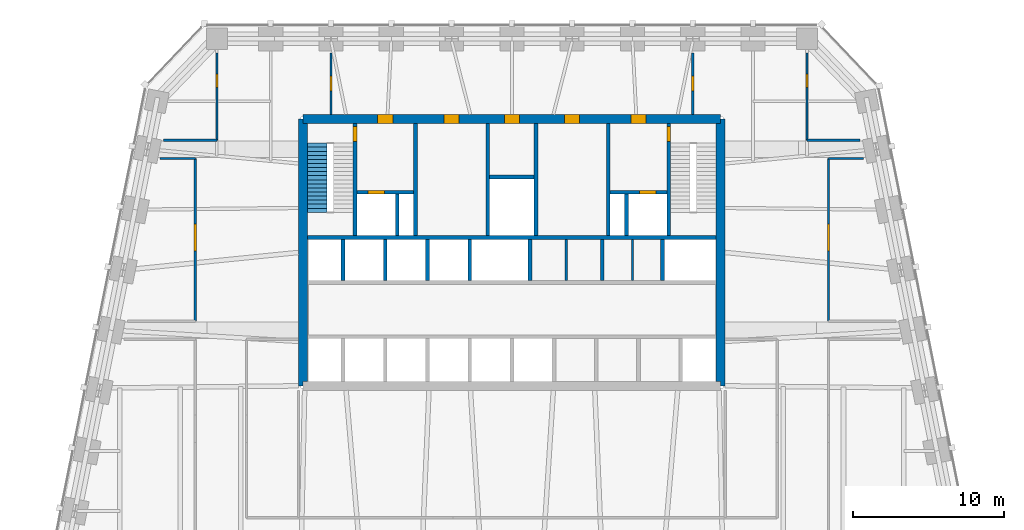
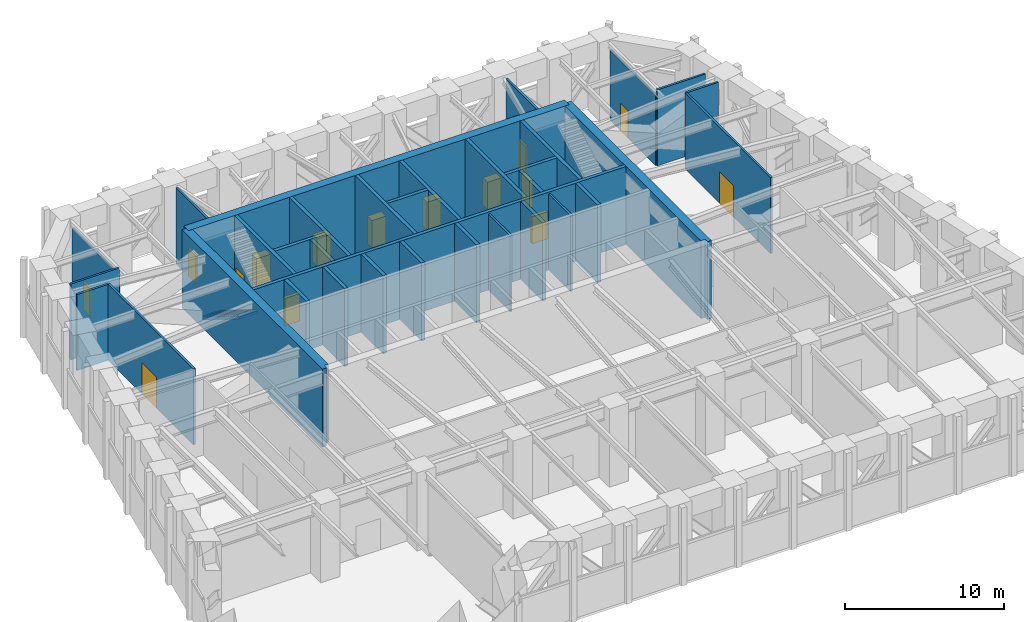
# One storey, part 7 of 9: 34 walls, 15 doors, 1 stair flight, 15 openings, 1 element without a shape of its own.
"""IFC4 building model written with IfcOpenShell, lengths in metres."""

from ifc_helpers import new_model, si_unit, direction, frame, frame_2d, origin, place, context, subcontext, project, spatial, polyline, rectangle, outline, extrude, material, layer, layer_set, type_object, element, fill, aggregate, save


model = new_model("IFC4")

# Units and contexts
model_context = context("Model", 3, precision=1e-05, world=origin(), true_north=direction((0.0, 1.0)))
body_context = subcontext(model_context, "Body", "Model", "MODEL_VIEW")
ifc_project = project(units=[si_unit("LENGTHUNIT", "METRE"), si_unit("AREAUNIT", "SQUARE_METRE"), si_unit("VOLUMEUNIT", "CUBIC_METRE"), si_unit("PLANEANGLEUNIT", "RADIAN"), si_unit("MASSUNIT", "GRAM", prefix="KILO")], contexts=[model_context])

# Site, building, storey
site_placement = place(None, origin())
site = spatial("IfcSite", under=ifc_project, at=site_placement, CompositionType="ELEMENT")
building_placement = place(site_placement, origin())
building = spatial("IfcBuilding", under=site, at=building_placement, Name="Isbrekke Arena Tower", CompositionType="ELEMENT")
storey_placement = place(building_placement, frame((0.0, 0.0, 242.0)))
storey = spatial("IfcBuildingStorey", under=building, at=storey_placement, Name="L56", CompositionType="ELEMENT", Elevation=242.0)

# Wall
ifc_material_1 = material(Name="Concrete B55 (C55/67)", Category="concrete")
ifc_layer_1 = layer(ifc_material_1, 0.60009765625)
ifc_layer_set_1 = layer_set([ifc_layer_1], Name="CW4 CORE WALL 600")
wall_type_1 = type_object("IfcWallType", Name="CW4 CORE WALL 600", PredefinedType="SHEAR", material=ifc_layer_set_1)
wall_1_placement = place(storey_placement, frame((13.85009765625, 6.14990234375, 0.0), z_axis=(0.0, 0.0, 1.0), x_axis=(0.0, 1.0, 0.0)))
element("IfcWall", 1, at=wall_1_placement, inside=storey, type_object=wall_type_1, Name="Core wall E L56", PredefinedType="SHEAR", context=body_context, shape_type="SweptSolid", body=[
    extrude(outline(polyline([(0.0, -0.300048828125), (17.7001953125, -0.300048828125), (17.7001953125, 0.0), (17.400146484375, 0.0), (17.400146484375, 0.300048828125), (0.300048828125, 0.300048828125), (0.300048828125, 0.0), (0.0, 0.0), (0.0, -0.300048828125)])), origin(), (0.0, 0.0, 1.0), 6.0),
])

# Wall, openings, doors
wall_2_placement = place(storey_placement, frame((13.85009765625, 23.85009765625, 0.0), z_axis=(0.0, 0.0, 1.0), x_axis=(-1.0, 0.0, 0.0)))
wall_2 = element("IfcWall", 2, at=wall_2_placement, inside=storey, type_object=wall_type_1, Name="Core wall N L56", PredefinedType="SHEAR", context=body_context, shape_type="SweptSolid", body=[
    extrude(rectangle(XDim=27.7001953125, YDim=0.60009765625, at=frame_2d((13.85009765625, 0.0))), origin(), (0.0, 0.0, 1.0), 6.0),
])
opening_1_placement = place(wall_2_placement, frame((21.75, 0.0, 0.0)))
opening_1 = element("IfcOpeningElement", 3, at=opening_1_placement, cuts=wall_2, Name="Opening D3", PredefinedType="OPENING", context=body_context, shape_type="SweptSolid", body=[
    extrude(rectangle(XDim=1.0, YDim=2.10009765625, at=frame_2d((0.5, 1.050048828125))), frame((0.0, 0.31494140625, 0.0), z_axis=(0.0, -1.0, 0.0), x_axis=(1.0, 0.0, 0.0)), (0.0, 0.0, 1.0), 0.6298828125),
])
opening_2_placement = place(wall_2_placement, frame((4.949951171875, 0.0, 0.0)))
opening_2 = element("IfcOpeningElement", 4, at=opening_2_placement, cuts=wall_2, Name="Opening D3", PredefinedType="OPENING", context=body_context, shape_type="SweptSolid", body=[
    extrude(rectangle(XDim=1.0, YDim=2.10009765625, at=frame_2d((0.5, 1.050048828125))), frame((0.0, 0.31494140625, 0.0), z_axis=(0.0, -1.0, 0.0), x_axis=(1.0, 0.0, 0.0)), (0.0, 0.0, 1.0), 0.6298828125),
])
opening_3_placement = place(wall_2_placement, frame((17.35009765625, 0.0, 0.0)))
opening_3 = element("IfcOpeningElement", 5, at=opening_3_placement, cuts=wall_2, Name="Opening D4", PredefinedType="OPENING", context=body_context, shape_type="SweptSolid", body=[
    extrude(rectangle(XDim=1.0, YDim=2.10009765625, at=frame_2d((0.5, 1.050048828125))), frame((0.0, 0.31494140625, 0.0), z_axis=(0.0, -1.0, 0.0), x_axis=(1.0, 0.0, 0.0)), (0.0, 0.0, 1.0), 0.6298828125),
])
opening_4_placement = place(wall_2_placement, frame((13.35009765625, 0.0, 0.0)))
opening_4 = element("IfcOpeningElement", 6, at=opening_4_placement, cuts=wall_2, Name="Opening D4", PredefinedType="OPENING", context=body_context, shape_type="SweptSolid", body=[
    extrude(rectangle(XDim=1.0, YDim=2.10009765625, at=frame_2d((0.5, 1.050048828125))), frame((0.0, 0.31494140625, 0.0), z_axis=(0.0, -1.0, 0.0), x_axis=(1.0, 0.0, 0.0)), (0.0, 0.0, 1.0), 0.6298828125),
])
opening_5_placement = place(wall_2_placement, frame((9.35009765625, 0.0, 0.0)))
opening_5 = element("IfcOpeningElement", 7, at=opening_5_placement, cuts=wall_2, Name="Opening D4", PredefinedType="OPENING", context=body_context, shape_type="SweptSolid", body=[
    extrude(rectangle(XDim=1.0, YDim=2.10009765625, at=frame_2d((0.5, 1.050048828125))), frame((0.0, 0.31494140625, 0.0), z_axis=(0.0, -1.0, 0.0), x_axis=(1.0, 0.0, 0.0)), (0.0, 0.0, 1.0), 0.6298828125),
])
ifc_material_2 = material(Name="Steel fire door", Category="steel")
door_type_1 = type_object("IfcDoorType", Name="D3 FIRE LOBBY DOOR 1000 x 2100", OperationType="SINGLE_SWING_RIGHT", PredefinedType="DOOR", material=ifc_material_2)
door_1_placement = place(opening_1_placement, origin())
door_1 = element("IfcDoor", 8, at=door_1_placement, inside=storey, type_object=door_type_1, Name="D3 fire-fighting lobby door L56", OperationType="SINGLE_SWING_RIGHT", OverallHeight=2.10009765625, OverallWidth=1.0, PredefinedType="DOOR", context=body_context, shape_type="SweptSolid", body=[
    extrude(rectangle(XDim=1.0, YDim=2.10009765625, at=frame_2d((0.5, 1.050048828125))), frame((0.0, 0.2998046875, 0.0), z_axis=(0.0, -1.0, 0.0), x_axis=(1.0, 0.0, 0.0)), (0.0, 0.0, 1.0), 0.599609375),
])
fill(opening_1, door_1)
door_2_placement = place(opening_2_placement, origin())
door_2 = element("IfcDoor", 9, at=door_2_placement, inside=storey, type_object=door_type_1, Name="D3 fire-fighting lobby door L56", OperationType="SINGLE_SWING_RIGHT", OverallHeight=2.10009765625, OverallWidth=1.0, PredefinedType="DOOR", context=body_context, shape_type="SweptSolid", body=[
    extrude(rectangle(XDim=1.0, YDim=2.10009765625, at=frame_2d((0.5, 1.050048828125))), frame((0.0, 0.2998046875, 0.0), z_axis=(0.0, -1.0, 0.0), x_axis=(1.0, 0.0, 0.0)), (0.0, 0.0, 1.0), 0.599609375),
])
fill(opening_2, door_2)
ifc_material_3 = material(Name="Timber door", Category="wood")
door_type_2 = type_object("IfcDoorType", Name="D4 WC DOOR 1000 x 2100", OperationType="SINGLE_SWING_LEFT", PredefinedType="DOOR", material=ifc_material_3)
door_3_placement = place(opening_3_placement, origin())
door_3 = element("IfcDoor", 10, at=door_3_placement, inside=storey, type_object=door_type_2, Name="D4 wc female door L56", OperationType="SINGLE_SWING_LEFT", OverallHeight=2.10009765625, OverallWidth=1.0, PredefinedType="DOOR", context=body_context, shape_type="SweptSolid", body=[
    extrude(rectangle(XDim=1.0, YDim=2.10009765625, at=frame_2d((0.5, 1.050048828125))), frame((0.0, 0.2998046875, 0.0), z_axis=(0.0, -1.0, 0.0), x_axis=(1.0, 0.0, 0.0)), (0.0, 0.0, 1.0), 0.599609375),
])
fill(opening_3, door_3)
door_4_placement = place(opening_4_placement, origin())
door_4 = element("IfcDoor", 11, at=door_4_placement, inside=storey, type_object=door_type_2, Name="D4 accessible wc door L56", OperationType="SINGLE_SWING_LEFT", OverallHeight=2.10009765625, OverallWidth=1.0, PredefinedType="DOOR", context=body_context, shape_type="SweptSolid", body=[
    extrude(rectangle(XDim=1.0, YDim=2.10009765625, at=frame_2d((0.5, 1.050048828125))), frame((0.0, 0.2998046875, 0.0), z_axis=(0.0, -1.0, 0.0), x_axis=(1.0, 0.0, 0.0)), (0.0, 0.0, 1.0), 0.599609375),
])
fill(opening_4, door_4)
door_5_placement = place(opening_5_placement, origin())
door_5 = element("IfcDoor", 12, at=door_5_placement, inside=storey, type_object=door_type_2, Name="D4 wc male door L56", OperationType="SINGLE_SWING_LEFT", OverallHeight=2.10009765625, OverallWidth=1.0, PredefinedType="DOOR", context=body_context, shape_type="SweptSolid", body=[
    extrude(rectangle(XDim=1.0, YDim=2.10009765625, at=frame_2d((0.5, 1.050048828125))), frame((0.0, 0.2998046875, 0.0), z_axis=(0.0, -1.0, 0.0), x_axis=(1.0, 0.0, 0.0)), (0.0, 0.0, 1.0), 0.599609375),
])
fill(opening_5, door_5)

# Walls
wall_3_placement = place(storey_placement, frame((-13.85009765625, 23.85009765625, 0.0), z_axis=(0.0, 0.0, 1.0), x_axis=(0.0, -1.0, 0.0)))
element("IfcWall", 13, at=wall_3_placement, inside=storey, type_object=wall_type_1, Name="Core wall W L56", PredefinedType="SHEAR", context=body_context, shape_type="SweptSolid", body=[
    extrude(outline(polyline([(0.0, -0.300048828125), (17.7001953125, -0.300048828125), (17.7001953125, 0.0), (17.400146484375, 0.0), (17.400146484375, 0.300048828125), (0.300048828125, 0.300048828125), (0.300048828125, 0.0), (0.0, 0.0), (0.0, -0.300048828125)])), origin(), (0.0, 0.0, 1.0), 6.0),
])
ifc_material_4 = material(Name="Concrete B45 (C45/55)", Category="concrete")
ifc_layer_2 = layer(ifc_material_4, 0.25)
ifc_layer_set_2 = layer_set([ifc_layer_2], Name="CW6 SHAFT WALL 250")
wall_type_2 = type_object("IfcWallType", Name="CW6 SHAFT WALL 250", PredefinedType="SHEAR", material=ifc_layer_set_2)
wall_4_placement = place(storey_placement, frame((-13.550048828125, 16.0, 0.0), z_axis=(0.0, 0.0, 1.0), x_axis=(1.0, 0.0, 0.0)))
element("IfcWall", 14, at=wall_4_placement, inside=storey, type_object=wall_type_2, Name="Core wall NB L56", PredefinedType="SHEAR", context=body_context, shape_type="SweptSolid", body=[
    extrude(rectangle(XDim=27.10009765625, YDim=0.25, at=frame_2d((13.550048828125, 0.0))), origin(), (0.0, 0.0, 1.0), 6.0),
])
for number, where, z_axis, x_axis, name in (
    (15, (-11.199951171875, 13.125, 0.0), (0.0, 0.0, 1.0), (0.0, 1.0, 0.0), "Core wall SN01 L56"),
    (16, (-8.39990234375, 13.125, 0.0), (0.0, 0.0, 1.0), (0.0, 1.0, 0.0), "Core wall SN02 L56"),
    (17, (-5.60009765625, 13.125, 0.0), (0.0, 0.0, 1.0), (0.0, 1.0, 0.0), "Core wall SN03 L56"),
    (18, (-2.800048828125, 13.125, 0.0), (0.0, 0.0, 1.0), (0.0, 1.0, 0.0), "Core wall SN04 L56"),
    (19, (1.199951171875, 13.125, 0.0), (0.0, 0.0, 1.0), (0.0, 1.0, 0.0), "Core wall SN05 L56"),
    (20, (6.0, 13.125, 0.0), (0.0, 0.0, 1.0), (0.0, 1.0, 0.0), "Core wall SN06 L56"),
    (21, (10.0, 13.125, 0.0), (0.0, 0.0, 1.0), (0.0, 1.0, 0.0), "Core wall SN07 L56"),
):
    element("IfcWall", number, at=place(storey_placement, frame(where, z_axis=z_axis, x_axis=x_axis)), inside=storey, type_object=wall_type_2, Name=name, PredefinedType="SHEAR", context=body_context, shape_type="SweptSolid", body=[
        extrude(rectangle(XDim=2.75, YDim=0.25, at=frame_2d((1.375, 0.0))), origin(), (0.0, 0.0, 1.0), 6.0),
    ])

# Wall, opening, door
wall_5_placement = place(storey_placement, frame((-10.39990234375, 16.125, 0.0), z_axis=(0.0, 0.0, 1.0), x_axis=(0.0, 1.0, 0.0)))
wall_5 = element("IfcWall", 22, at=wall_5_placement, inside=storey, type_object=wall_type_2, Name="Core wall NV01 L56", PredefinedType="SHEAR", context=body_context, shape_type="SweptSolid", body=[
    extrude(rectangle(XDim=7.425048828125, YDim=0.25, at=frame_2d((3.71240234375, 0.0))), origin(), (0.0, 0.0, 1.0), 6.0),
])
opening_6_placement = place(wall_5_placement, frame((6.22509765625, 0.0, 0.0)))
opening_6 = element("IfcOpeningElement", 23, at=opening_6_placement, cuts=wall_5, Name="Opening D2", PredefinedType="OPENING", context=body_context, shape_type="SweptSolid", body=[
    extrude(rectangle(XDim=1.0, YDim=2.10009765625, at=frame_2d((0.5, 1.050048828125))), frame((0.0, 0.139892578125, 0.0), z_axis=(0.0, -1.0, 0.0), x_axis=(1.0, 0.0, 0.0)), (0.0, 0.0, 1.0), 0.27978515625),
])
ifc_material_5 = material(Name="Steel fire door", Category="steel")
door_type_3 = type_object("IfcDoorType", Name="D2 STAIR DOOR 1000 x 2100", OperationType="SINGLE_SWING_LEFT", PredefinedType="DOOR", material=ifc_material_5)
door_6_placement = place(opening_6_placement, origin())
door_6 = element("IfcDoor", 24, at=door_6_placement, inside=storey, type_object=door_type_3, Name="D2 stair door ST1 L56", OperationType="SINGLE_SWING_LEFT", OverallHeight=2.10009765625, OverallWidth=1.0, PredefinedType="DOOR", context=body_context, shape_type="SweptSolid", body=[
    extrude(rectangle(XDim=1.0, YDim=2.10009765625, at=frame_2d((0.5, 1.050048828125))), frame((0.0, 0.124755859375, 0.0), z_axis=(0.0, -1.0, 0.0), x_axis=(1.0, 0.0, 0.0)), (0.0, 0.0, 1.0), 0.24951171875),
])
fill(opening_6, door_6)

# Walls
for number, where, z_axis, x_axis, name in (
    (25, (-6.39990234375, 16.125, 0.0), (0.0, 0.0, 1.0), (0.0, 1.0, 0.0), "Core wall NV02 L56"),
    (26, (-1.60009765625, 16.125, 0.0), (0.0, 0.0, 1.0), (0.0, 1.0, 0.0), "Core wall NV03 L56"),
    (27, (1.60009765625, 16.125, 0.0), (0.0, 0.0, 1.0), (0.0, 1.0, 0.0), "Core wall NV04 L56"),
    (28, (6.39990234375, 16.125, 0.0), (0.0, 0.0, 1.0), (0.0, 1.0, 0.0), "Core wall NV05 L56"),
):
    element("IfcWall", number, at=place(storey_placement, frame(where, z_axis=z_axis, x_axis=x_axis)), inside=storey, type_object=wall_type_2, Name=name, PredefinedType="SHEAR", context=body_context, shape_type="SweptSolid", body=[
        extrude(rectangle(XDim=7.425048828125, YDim=0.25, at=frame_2d((3.71240234375, 0.0))), origin(), (0.0, 0.0, 1.0), 6.0),
    ])

# Wall, opening, door
wall_6_placement = place(storey_placement, frame((10.39990234375, 16.125, 0.0), z_axis=(0.0, 0.0, 1.0), x_axis=(0.0, 1.0, 0.0)))
wall_6 = element("IfcWall", 29, at=wall_6_placement, inside=storey, type_object=wall_type_2, Name="Core wall NV06 L56", PredefinedType="SHEAR", context=body_context, shape_type="SweptSolid", body=[
    extrude(rectangle(XDim=7.425048828125, YDim=0.25, at=frame_2d((3.71240234375, 0.0))), origin(), (0.0, 0.0, 1.0), 6.0),
])
opening_7_placement = place(wall_6_placement, frame((6.22509765625, 0.0, 0.0)))
opening_7 = element("IfcOpeningElement", 30, at=opening_7_placement, cuts=wall_6, Name="Opening D2", PredefinedType="OPENING", context=body_context, shape_type="SweptSolid", body=[
    extrude(rectangle(XDim=1.0, YDim=2.10009765625, at=frame_2d((0.5, 1.050048828125))), frame((0.0, 0.139892578125, 0.0), z_axis=(0.0, -1.0, 0.0), x_axis=(1.0, 0.0, 0.0)), (0.0, 0.0, 1.0), 0.27978515625),
])
door_7_placement = place(opening_7_placement, origin())
door_7 = element("IfcDoor", 31, at=door_7_placement, inside=storey, type_object=door_type_3, Name="D2 stair door ST2 L56", OperationType="SINGLE_SWING_LEFT", OverallHeight=2.10009765625, OverallWidth=1.0, PredefinedType="DOOR", context=body_context, shape_type="SweptSolid", body=[
    extrude(rectangle(XDim=1.0, YDim=2.10009765625, at=frame_2d((0.5, 1.050048828125))), frame((0.0, 0.124755859375, 0.0), z_axis=(0.0, -1.0, 0.0), x_axis=(1.0, 0.0, 0.0)), (0.0, 0.0, 1.0), 0.24951171875),
])
fill(opening_7, door_7)

wall_7_placement = place(storey_placement, frame((-10.27490234375, 19.0, 0.0), z_axis=(0.0, 0.0, 1.0), x_axis=(1.0, 0.0, 0.0)))
wall_7 = element("IfcWall", 32, at=wall_7_placement, inside=storey, type_object=wall_type_2, Name="Core wall NFW L56", PredefinedType="SHEAR", context=body_context, shape_type="SweptSolid", body=[
    extrude(rectangle(XDim=3.75, YDim=0.25, at=frame_2d((1.875, 0.0))), origin(), (0.0, 0.0, 1.0), 6.0),
])
opening_8_placement = place(wall_7_placement, frame((0.72509765625, 0.0, 0.0)))
opening_8 = element("IfcOpeningElement", 33, at=opening_8_placement, cuts=wall_7, Name="Opening LD2", PredefinedType="OPENING", context=body_context, shape_type="SweptSolid", body=[
    extrude(rectangle(XDim=1.10009765625, YDim=2.10009765625, at=frame_2d((0.550048828125, 1.050048828125))), frame((0.0, 0.139892578125, 0.0), z_axis=(0.0, -1.0, 0.0), x_axis=(1.0, 0.0, 0.0)), (0.0, 0.0, 1.0), 0.27978515625),
])
ifc_material_6 = material(Name="Stainless steel lift landing door", Category="steel")
door_type_4 = type_object("IfcDoorType", Name="LD2 FIRE-FIGHTING LIFT LANDING DOOR 1100 x 2100", OperationType="SLIDING_TO_RIGHT", PredefinedType="DOOR", material=ifc_material_6)
door_8_placement = place(opening_8_placement, origin())
door_8 = element("IfcDoor", 34, at=door_8_placement, inside=storey, type_object=door_type_4, Name="LD2 lift landing door LF L56", OperationType="SLIDING_TO_RIGHT", OverallHeight=2.10009765625, OverallWidth=1.10009765625, PredefinedType="DOOR", context=body_context, shape_type="SweptSolid", body=[
    extrude(rectangle(XDim=1.10009765625, YDim=2.10009765625, at=frame_2d((0.550048828125, 1.050048828125))), frame((0.0, 0.124755859375, 0.0), z_axis=(0.0, -1.0, 0.0), x_axis=(1.0, 0.0, 0.0)), (0.0, 0.0, 1.0), 0.24951171875),
])
fill(opening_8, door_8)

wall_8_placement = place(storey_placement, frame((6.52490234375, 19.0, 0.0), z_axis=(0.0, 0.0, 1.0), x_axis=(1.0, 0.0, 0.0)))
wall_8 = element("IfcWall", 35, at=wall_8_placement, inside=storey, type_object=wall_type_2, Name="Core wall NFE L56", PredefinedType="SHEAR", context=body_context, shape_type="SweptSolid", body=[
    extrude(rectangle(XDim=3.75, YDim=0.25, at=frame_2d((1.875, 0.0))), origin(), (0.0, 0.0, 1.0), 6.0),
])
opening_9_placement = place(wall_8_placement, frame((1.925048828125, 0.0, 0.0)))
opening_9 = element("IfcOpeningElement", 36, at=opening_9_placement, cuts=wall_8, Name="Opening LD2", PredefinedType="OPENING", context=body_context, shape_type="SweptSolid", body=[
    extrude(rectangle(XDim=1.10009765625, YDim=2.10009765625, at=frame_2d((0.550048828125, 1.050048828125))), frame((0.0, 0.139892578125, 0.0), z_axis=(0.0, -1.0, 0.0), x_axis=(1.0, 0.0, 0.0)), (0.0, 0.0, 1.0), 0.27978515625),
])
door_9_placement = place(opening_9_placement, origin())
door_9 = element("IfcDoor", 37, at=door_9_placement, inside=storey, type_object=door_type_4, Name="LD2 lift landing door LF L56", OperationType="SLIDING_TO_RIGHT", OverallHeight=2.10009765625, OverallWidth=1.10009765625, PredefinedType="DOOR", context=body_context, shape_type="SweptSolid", body=[
    extrude(rectangle(XDim=1.10009765625, YDim=2.10009765625, at=frame_2d((0.550048828125, 1.050048828125))), frame((0.0, 0.124755859375, 0.0), z_axis=(0.0, -1.0, 0.0), x_axis=(1.0, 0.0, 0.0)), (0.0, 0.0, 1.0), 0.24951171875),
])
fill(opening_9, door_9)

# Walls
for number, where, z_axis, x_axis, name in (
    (38, (-7.60009765625, 16.125, 0.0), (0.0, 0.0, 1.0), (0.0, 1.0, 0.0), "Core wall NFS1 L56"),
    (39, (7.60009765625, 16.125, 0.0), (0.0, 0.0, 1.0), (0.0, 1.0, 0.0), "Core wall NFS2 L56"),
):
    element("IfcWall", number, at=place(storey_placement, frame(where, z_axis=z_axis, x_axis=x_axis)), inside=storey, type_object=wall_type_2, Name=name, PredefinedType="SHEAR", context=body_context, shape_type="SweptSolid", body=[
        extrude(rectangle(XDim=2.75, YDim=0.25, at=frame_2d((1.375, 0.0))), origin(), (0.0, 0.0, 1.0), 6.0),
    ])
wall_9_placement = place(storey_placement, frame((-1.47509765625, 20.0, 0.0), z_axis=(0.0, 0.0, 1.0), x_axis=(1.0, 0.0, 0.0)))
element("IfcWall", 40, at=wall_9_placement, inside=storey, type_object=wall_type_2, Name="Core wall NWC L56", PredefinedType="SHEAR", context=body_context, shape_type="SweptSolid", body=[
    extrude(rectangle(XDim=2.9501953125, YDim=0.25, at=frame_2d((1.47509765625, 0.0))), origin(), (0.0, 0.0, 1.0), 6.0),
])
ifc_material_7 = material(Name="Gypsum board fire-rated partition on steel studs, two layers each side", Category="steel")
ifc_layer_3 = layer(ifc_material_7, 0.14990234375)
ifc_layer_set_3 = layer_set([ifc_layer_3], Name="IW5 FIRE-RATED PARTITION 150")
wall_type_3 = type_object("IfcWallType", Name="IW5 FIRE-RATED PARTITION 150", PredefinedType="PARTITIONING", material=ifc_layer_set_3)
for number, where, z_axis, x_axis, name in (
    (41, (3.60009765625, 13.125, 0.0), (0.0, 0.0, 1.0), (0.0, 1.0, 0.0), "IW5 fire-rated partition L56 core service rooms 1"),
    (42, (8.0, 13.125, 0.0), (0.0, 0.0, 1.0), (0.0, 1.0, 0.0), "IW5 fire-rated partition L56 core service rooms 2"),
):
    element("IfcWall", number, at=place(storey_placement, frame(where, z_axis=z_axis, x_axis=x_axis)), inside=storey, type_object=wall_type_3, Name=name, PredefinedType="PARTITIONING", context=body_context, shape_type="SweptSolid", body=[
        extrude(rectangle(XDim=2.75, YDim=0.14990234375, at=frame_2d((1.375, 0.0))), origin(), (0.0, 0.0, 1.0), 5.85009765625),
    ])

# Wall, opening, door
wall_10_placement = place(storey_placement, frame((21.0, 10.43994140625, 0.0), z_axis=(0.0, 0.0, 1.0), x_axis=(0.0, 1.0, 0.0)))
wall_10 = element("IfcWall", 43, at=wall_10_placement, inside=storey, type_object=wall_type_3, Name="IW5 fire-rated partition L56 plant WEC", PredefinedType="PARTITIONING", context=body_context, shape_type="SweptSolid", body=[
    extrude(rectangle(XDim=10.800048828125, YDim=0.14990234375, at=frame_2d((5.39990234375, 0.0))), origin(), (0.0, 0.0, 1.0), 5.85009765625),
])
opening_10_placement = place(wall_10_placement, frame((4.659912109375, 0.0, 0.0)))
opening_10 = element("IfcOpeningElement", 44, at=opening_10_placement, cuts=wall_10, Name="Opening D8", PredefinedType="OPENING", context=body_context, shape_type="SweptSolid", body=[
    extrude(rectangle(XDim=1.800048828125, YDim=2.39990234375, at=frame_2d((0.89990234375, 1.199951171875))), frame((0.0, 0.08984375, 0.0), z_axis=(0.0, -1.0, 0.0), x_axis=(1.0, 0.0, 0.0)), (0.0, 0.0, 1.0), 0.1796875),
])
ifc_material_8 = material(Name="Steel fire door", Category="steel")
door_type_5 = type_object("IfcDoorType", Name="D8 PLANT ROOM DOOR 1800 x 2400", OperationType="DOUBLE_DOOR_SINGLE_SWING", PredefinedType="DOOR", material=ifc_material_8)
door_10_placement = place(opening_10_placement, origin())
door_10 = element("IfcDoor", 45, at=door_10_placement, inside=storey, type_object=door_type_5, Name="D8 fresh air plant room door L56", OperationType="DOUBLE_DOOR_SINGLE_SWING", OverallHeight=2.39990234375, OverallWidth=1.800048828125, PredefinedType="DOOR", context=body_context, shape_type="SweptSolid", body=[
    extrude(rectangle(XDim=1.800048828125, YDim=2.39990234375, at=frame_2d((0.89990234375, 1.199951171875))), frame((0.0, 0.07470703125, 0.0), z_axis=(0.0, -1.0, 0.0), x_axis=(1.0, 0.0, 0.0)), (0.0, 0.0, 1.0), 0.1494140625),
])
fill(opening_10, door_10)

# Walls
wall_11_placement = place(storey_placement, frame((21.0, 21.239990234375, 0.0), z_axis=(0.0, 0.0, 1.0), x_axis=(1.0, 0.0, 0.0)))
element("IfcWall", 46, at=wall_11_placement, inside=storey, type_object=wall_type_3, Name="IW5 fire-rated partition L56 plant WEH", PredefinedType="PARTITIONING", context=body_context, shape_type="SweptSolid", body=[
    extrude(rectangle(XDim=2.336669921875, YDim=0.14990234375, at=frame_2d((1.16845703125, 0.0))), origin(), (0.0, 0.0, 1.0), 5.85009765625),
])
wall_12_placement = place(storey_placement, frame((19.570068359375, 22.43994140625, 0.0), z_axis=(0.0, 0.0, 1.0), x_axis=(1.0, 0.0, 0.0)))
element("IfcWall", 47, at=wall_12_placement, inside=storey, type_object=wall_type_3, Name="IW5 fire-rated partition L56 plant WEJ", PredefinedType="PARTITIONING", context=body_context, shape_type="SweptSolid", body=[
    extrude(rectangle(XDim=3.526611328125, YDim=0.14990234375, at=frame_2d((1.76318359375, 0.0))), origin(), (0.0, 0.0, 1.0), 5.85009765625),
])

# Wall, opening, door
wall_13_placement = place(storey_placement, frame((19.570068359375, 22.43994140625, 0.0), z_axis=(0.0, 0.0, 1.0), x_axis=(0.0, 1.0, 0.0)))
wall_13 = element("IfcWall", 48, at=wall_13_placement, inside=storey, type_object=wall_type_3, Name="IW5 fire-rated partition L56 plant WEK", PredefinedType="PARTITIONING", context=body_context, shape_type="SweptSolid", body=[
    extrude(rectangle(XDim=5.780029296875, YDim=0.14990234375, at=frame_2d((2.89013671875, 0.0))), origin(), (0.0, 0.0, 1.0), 5.39990234375),
])
opening_11_placement = place(wall_13_placement, frame((3.510009765625, 0.0, 0.0)))
opening_11 = element("IfcOpeningElement", 49, at=opening_11_placement, cuts=wall_13, Name="Opening D5", PredefinedType="OPENING", context=body_context, shape_type="SweptSolid", body=[
    extrude(rectangle(XDim=0.89990234375, YDim=2.10009765625, at=frame_2d((0.449951171875, 1.050048828125))), frame((0.0, 0.08984375, 0.0), z_axis=(0.0, -1.0, 0.0), x_axis=(1.0, 0.0, 0.0)), (0.0, 0.0, 1.0), 0.1796875),
])
ifc_material_9 = material(Name="Steel fire door", Category="steel")
door_type_6 = type_object("IfcDoorType", Name="D5 SERVICE DOOR 900 x 2100", OperationType="SINGLE_SWING_LEFT", PredefinedType="DOOR", material=ifc_material_9)
door_11_placement = place(opening_11_placement, origin())
door_11 = element("IfcDoor", 50, at=door_11_placement, inside=storey, type_object=door_type_6, Name="D5 stair pressurisation plant room door L56", OperationType="SINGLE_SWING_LEFT", OverallHeight=2.10009765625, OverallWidth=0.89990234375, PredefinedType="DOOR", context=body_context, shape_type="SweptSolid", body=[
    extrude(rectangle(XDim=0.89990234375, YDim=2.10009765625, at=frame_2d((0.449951171875, 1.050048828125))), frame((0.0, 0.07470703125, 0.0), z_axis=(0.0, -1.0, 0.0), x_axis=(1.0, 0.0, 0.0)), (0.0, 0.0, 1.0), 0.1494140625),
])
fill(opening_11, door_11)

wall_14_placement = place(storey_placement, frame((12.0, 24.14990234375, 0.0), z_axis=(0.0, 0.0, 1.0), x_axis=(0.0, 1.0, 0.0)))
wall_14 = element("IfcWall", 51, at=wall_14_placement, inside=storey, type_object=wall_type_3, Name="IW5 fire-rated partition L56 plant WEM", PredefinedType="PARTITIONING", context=body_context, shape_type="SweptSolid", body=[
    extrude(rectangle(XDim=4.070068359375, YDim=0.14990234375, at=frame_2d((2.03515625, 0.0))), origin(), (0.0, 0.0, 1.0), 5.85009765625),
])
opening_12_placement = place(wall_14_placement, frame((1.550048828125, 0.0, 0.0)))
opening_12 = element("IfcOpeningElement", 52, at=opening_12_placement, cuts=wall_14, Name="Opening D3", PredefinedType="OPENING", context=body_context, shape_type="SweptSolid", body=[
    extrude(rectangle(XDim=1.0, YDim=2.10009765625, at=frame_2d((0.5, 1.050048828125))), frame((0.0, 0.08984375, 0.0), z_axis=(0.0, -1.0, 0.0), x_axis=(1.0, 0.0, 0.0)), (0.0, 0.0, 1.0), 0.1796875),
])
door_12_placement = place(opening_12_placement, origin())
door_12 = element("IfcDoor", 53, at=door_12_placement, inside=storey, type_object=door_type_1, Name="D3 refuge area door L56", OperationType="SINGLE_SWING_RIGHT", OverallHeight=2.10009765625, OverallWidth=1.0, PredefinedType="DOOR", context=body_context, shape_type="SweptSolid", body=[
    extrude(rectangle(XDim=1.0, YDim=2.10009765625, at=frame_2d((0.5, 1.050048828125))), frame((0.0, 0.07470703125, 0.0), z_axis=(0.0, -1.0, 0.0), x_axis=(1.0, 0.0, 0.0)), (0.0, 0.0, 1.0), 0.1494140625),
])
fill(opening_12, door_12)

wall_15_placement = place(storey_placement, frame((-21.0, 10.43994140625, 0.0), z_axis=(0.0, 0.0, 1.0), x_axis=(0.0, 1.0, 0.0)))
wall_15 = element("IfcWall", 54, at=wall_15_placement, inside=storey, type_object=wall_type_3, Name="IW5 fire-rated partition L56 plant WWC", PredefinedType="PARTITIONING", context=body_context, shape_type="SweptSolid", body=[
    extrude(rectangle(XDim=10.800048828125, YDim=0.14990234375, at=frame_2d((5.39990234375, 0.0))), origin(), (0.0, 0.0, 1.0), 5.85009765625),
])
opening_13_placement = place(wall_15_placement, frame((4.659912109375, 0.0, 0.0)))
opening_13 = element("IfcOpeningElement", 55, at=opening_13_placement, cuts=wall_15, Name="Opening D8", PredefinedType="OPENING", context=body_context, shape_type="SweptSolid", body=[
    extrude(rectangle(XDim=1.800048828125, YDim=2.39990234375, at=frame_2d((0.89990234375, 1.199951171875))), frame((0.0, 0.08984375, 0.0), z_axis=(0.0, -1.0, 0.0), x_axis=(1.0, 0.0, 0.0)), (0.0, 0.0, 1.0), 0.1796875),
])
door_13_placement = place(opening_13_placement, origin())
door_13 = element("IfcDoor", 56, at=door_13_placement, inside=storey, type_object=door_type_5, Name="D8 exhaust air plant room door L56", OperationType="DOUBLE_DOOR_SINGLE_SWING", OverallHeight=2.39990234375, OverallWidth=1.800048828125, PredefinedType="DOOR", context=body_context, shape_type="SweptSolid", body=[
    extrude(rectangle(XDim=1.800048828125, YDim=2.39990234375, at=frame_2d((0.89990234375, 1.199951171875))), frame((0.0, 0.07470703125, 0.0), z_axis=(0.0, -1.0, 0.0), x_axis=(1.0, 0.0, 0.0)), (0.0, 0.0, 1.0), 0.1494140625),
])
fill(opening_13, door_13)

# Walls
wall_16_placement = place(storey_placement, frame((-21.0, 21.239990234375, 0.0), z_axis=(0.0, 0.0, 1.0), x_axis=(-1.0, 0.0, 0.0)))
element("IfcWall", 57, at=wall_16_placement, inside=storey, type_object=wall_type_3, Name="IW5 fire-rated partition L56 plant WWH", PredefinedType="PARTITIONING", context=body_context, shape_type="SweptSolid", body=[
    extrude(rectangle(XDim=2.336669921875, YDim=0.14990234375, at=frame_2d((1.16845703125, 0.0))), origin(), (0.0, 0.0, 1.0), 5.85009765625),
])
wall_17_placement = place(storey_placement, frame((-19.570068359375, 22.43994140625, 0.0), z_axis=(0.0, 0.0, 1.0), x_axis=(-1.0, 0.0, 0.0)))
element("IfcWall", 58, at=wall_17_placement, inside=storey, type_object=wall_type_3, Name="IW5 fire-rated partition L56 plant WWJ", PredefinedType="PARTITIONING", context=body_context, shape_type="SweptSolid", body=[
    extrude(rectangle(XDim=3.526611328125, YDim=0.14990234375, at=frame_2d((1.76318359375, 0.0))), origin(), (0.0, 0.0, 1.0), 5.85009765625),
])

# Wall, opening, door
wall_18_placement = place(storey_placement, frame((-19.570068359375, 22.43994140625, 0.0), z_axis=(0.0, 0.0, 1.0), x_axis=(0.0, 1.0, 0.0)))
wall_18 = element("IfcWall", 59, at=wall_18_placement, inside=storey, type_object=wall_type_3, Name="IW5 fire-rated partition L56 plant WWK", PredefinedType="PARTITIONING", context=body_context, shape_type="SweptSolid", body=[
    extrude(rectangle(XDim=5.780029296875, YDim=0.14990234375, at=frame_2d((2.89013671875, 0.0))), origin(), (0.0, 0.0, 1.0), 5.39990234375),
])
opening_14_placement = place(wall_18_placement, frame((3.510009765625, 0.0, 0.0)))
opening_14 = element("IfcOpeningElement", 60, at=opening_14_placement, cuts=wall_18, Name="Opening D5", PredefinedType="OPENING", context=body_context, shape_type="SweptSolid", body=[
    extrude(rectangle(XDim=0.89990234375, YDim=2.10009765625, at=frame_2d((0.449951171875, 1.050048828125))), frame((0.0, 0.08984375, 0.0), z_axis=(0.0, -1.0, 0.0), x_axis=(1.0, 0.0, 0.0)), (0.0, 0.0, 1.0), 0.1796875),
])
door_14_placement = place(opening_14_placement, origin())
door_14 = element("IfcDoor", 61, at=door_14_placement, inside=storey, type_object=door_type_6, Name="D5 telecommunications equipment room door L56", OperationType="SINGLE_SWING_LEFT", OverallHeight=2.10009765625, OverallWidth=0.89990234375, PredefinedType="DOOR", context=body_context, shape_type="SweptSolid", body=[
    extrude(rectangle(XDim=0.89990234375, YDim=2.10009765625, at=frame_2d((0.449951171875, 1.050048828125))), frame((0.0, 0.07470703125, 0.0), z_axis=(0.0, -1.0, 0.0), x_axis=(1.0, 0.0, 0.0)), (0.0, 0.0, 1.0), 0.1494140625),
])
fill(opening_14, door_14)

wall_19_placement = place(storey_placement, frame((-12.0, 24.14990234375, 0.0), z_axis=(0.0, 0.0, 1.0), x_axis=(0.0, 1.0, 0.0)))
wall_19 = element("IfcWall", 62, at=wall_19_placement, inside=storey, type_object=wall_type_3, Name="IW5 fire-rated partition L56 plant WWM", PredefinedType="PARTITIONING", context=body_context, shape_type="SweptSolid", body=[
    extrude(rectangle(XDim=4.070068359375, YDim=0.14990234375, at=frame_2d((2.03515625, 0.0))), origin(), (0.0, 0.0, 1.0), 5.85009765625),
])
opening_15_placement = place(wall_19_placement, frame((1.550048828125, 0.0, 0.0)))
opening_15 = element("IfcOpeningElement", 63, at=opening_15_placement, cuts=wall_19, Name="Opening D3", PredefinedType="OPENING", context=body_context, shape_type="SweptSolid", body=[
    extrude(rectangle(XDim=1.0, YDim=2.10009765625, at=frame_2d((0.5, 1.050048828125))), frame((0.0, 0.08984375, 0.0), z_axis=(0.0, -1.0, 0.0), x_axis=(1.0, 0.0, 0.0)), (0.0, 0.0, 1.0), 0.1796875),
])
door_15_placement = place(opening_15_placement, origin())
door_15 = element("IfcDoor", 64, at=door_15_placement, inside=storey, type_object=door_type_1, Name="D3 refuge area door L56", OperationType="SINGLE_SWING_RIGHT", OverallHeight=2.10009765625, OverallWidth=1.0, PredefinedType="DOOR", context=body_context, shape_type="SweptSolid", body=[
    extrude(rectangle(XDim=1.0, YDim=2.10009765625, at=frame_2d((0.5, 1.050048828125))), frame((0.0, 0.07470703125, 0.0), z_axis=(0.0, -1.0, 0.0), x_axis=(1.0, 0.0, 0.0)), (0.0, 0.0, 1.0), 0.1494140625),
])
fill(opening_15, door_15)

# Stair, stair flight
ifc_material_10 = material(Name="Concrete B45 (C45/55) precast", Category="concrete")
stair_type = type_object("IfcStairType", Name="ST60 STAIR 1300 WIDE, 36 RISERS 167", PredefinedType="HALF_TURN_STAIR", material=ifc_material_10)
stair_placement = place(storey_placement, origin())
stair = element("IfcStair", 65, at=stair_placement, inside=storey, type_object=stair_type, Name="ST1 stair L56", PredefinedType="HALF_TURN_STAIR")
ifc_material_11 = material(Name="Concrete B45 (C45/55) precast", Category="concrete")
stair_flight_type = type_object("IfcStairFlightType", Name="SF 1300 FLIGHT", PredefinedType="STRAIGHT", material=ifc_material_11)
stair_flight_placement = place(storey_placement, frame((-12.89990234375, 22.25, 0.0), z_axis=(0.0, 0.0, 1.0), x_axis=(0.0, -1.0, 0.0)))
stair_flight = element("IfcStairFlight", 66, at=stair_flight_placement, type_object=stair_flight_type, Name="ST1 flight 1", NumberOfRisers=18, NumberOfTreads=17, PredefinedType="STRAIGHT", RiserHeight=0.166666667, TreadLength=0.27, context=body_context, shape_type="SweptSolid", body=[
    extrude(outline(polyline([(0.0, 0.0), (0.0, 0.166748046875), (0.27001953125, 0.166748046875), (0.27001953125, 0.333251953125), (0.5400390625, 0.333251953125), (0.5400390625, 0.5), (0.81005859375, 0.5), (0.81005859375, 0.666748046875), (1.080078125, 0.666748046875), (1.080078125, 0.833251953125), (1.35009765625, 0.833251953125), (1.35009765625, 1.0), (1.6201171875, 1.0), (1.6201171875, 1.166748046875), (1.889892578125, 1.166748046875), (1.889892578125, 1.333251953125), (2.159912109375, 1.333251953125), (2.159912109375, 1.5), (2.429931640625, 1.5), (2.429931640625, 1.666748046875), (2.699951171875, 1.666748046875), (2.699951171875, 1.833251953125), (2.969970703125, 1.833251953125), (2.969970703125, 2.0), (3.239990234375, 2.0), (3.239990234375, 2.166748046875), (3.510009765625, 2.166748046875), (3.510009765625, 2.333251953125), (3.780029296875, 2.333251953125), (3.780029296875, 2.5), (4.050048828125, 2.5), (4.050048828125, 2.666748046875), (4.320068359375, 2.666748046875), (4.320068359375, 2.833251953125), (4.590087890625, 2.833251953125), (4.590087890625, 3.0), (4.590087890625, 2.6572265625), (0.285400390625, 0.0), (0.0, 0.0)])), frame((0.0, 0.64990234375, 0.0), z_axis=(0.0, -1.0, 0.0), x_axis=(1.0, 0.0, 0.0)), (0.0, 0.0, 1.0), 1.300048828125),
])
aggregate(stair, [stair_flight])

save(model, "model.ifc")
